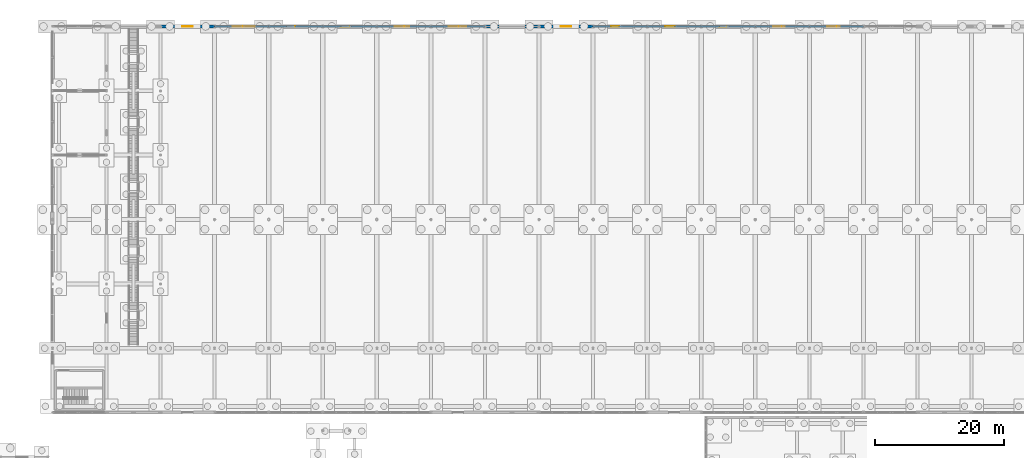
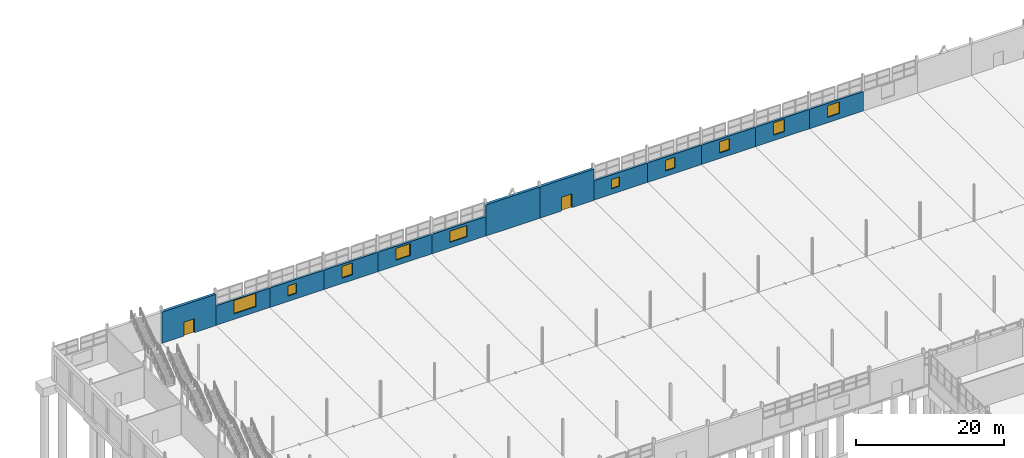
# One storey, part 130 of 139: 13 walls, 10 windows, 2 doors, 12 openings.
"""IFC4 building model written with IfcOpenShell, lengths in metres."""

from ifc_helpers import new_model, si_unit, direction, frame, frame_2d, origin, place, context, subcontext, project, spatial, rectangle, extrude, material, layer, layer_set, type_object, element, fill, save


model = new_model("IFC4")

# Units and contexts
model_context = context("Model", 3, precision=1e-05, world=origin(), true_north=direction((0.0, 1.0)))
body_context = subcontext(model_context, "Body", "Model", "MODEL_VIEW")
ifc_project = project(units=[si_unit("LENGTHUNIT", "METRE"), si_unit("AREAUNIT", "SQUARE_METRE"), si_unit("VOLUMEUNIT", "CUBIC_METRE"), si_unit("PLANEANGLEUNIT", "RADIAN"), si_unit("MASSUNIT", "GRAM", prefix="KILO")], contexts=[model_context])

# Site, building, storey
site_placement = place(None, origin())
site = spatial("IfcSite", under=ifc_project, at=site_placement, CompositionType="ELEMENT")
building_placement = place(site_placement, origin())
building = spatial("IfcBuilding", under=site, at=building_placement, Name="Kazenagashi Tramway Depot", CompositionType="ELEMENT")
storey_placement = place(building_placement, origin())
storey = spatial("IfcBuildingStorey", under=building, at=storey_placement, Name="L01", CompositionType="ELEMENT", Elevation=0.0)

# Wall, opening, door
ifc_material_1 = material(Name="Clay Brick Masonry JIS R 1250 Class 1 (20 MPa)", Category="masonry")
ifc_layer_1 = layer(ifc_material_1, 0.43)
ifc_layer_set_1 = layer_set([ifc_layer_1], Name="Clay Brick Masonry JIS R 1250 Class 1 (20 MPa)")
wall_type_1 = type_object("IfcWallType", Name="W-BK1", PredefinedType="SOLIDWALL", material=ifc_layer_set_1)
wall_1_placement = place(storey_placement, frame((61.6, 130.0, 0.0), z_axis=(0.0, 0.0, 1.0), x_axis=(1.0, 0.0, 0.0)))
wall_1 = element("IfcWall", 1, at=wall_1_placement, inside=storey, type_object=wall_type_1, Name="Exterior Brick Wall W-BK1 EWALL-0032", PredefinedType="SOLIDWALL", context=body_context, shape_type="SweptSolid", body=[
    extrude(rectangle(XDim=8.4, YDim=0.43, at=frame_2d((4.2, 0.0))), origin(), (0.0, 0.0, 1.0), 5.14),
])
opening_1_placement = place(wall_1_placement, frame((3.4, 0.0, 0.0)))
opening_1 = element("IfcOpeningElement", 2, at=opening_1_placement, cuts=wall_1, Name="Opening D-004", PredefinedType="OPENING", context=body_context, shape_type="SweptSolid", body=[
    extrude(rectangle(XDim=1.6, YDim=2.3, at=frame_2d((0.8, 1.15))), frame((0.0, 0.225, 0.0), z_axis=(0.0, -1.0, 0.0), x_axis=(1.0, 0.0, 0.0)), (0.0, 0.0, 1.0), 0.45),
])
ifc_material_2 = material(Name="Anodised Aluminium and Laminated Glass", Category="aluminium")
door_type = type_object("IfcDoorType", Name="DT-02", OperationType="NOTDEFINED", PredefinedType="DOOR", material=ifc_material_2)
door_1_placement = place(opening_1_placement, origin())
door_1 = element("IfcDoor", 3, at=door_1_placement, inside=storey, type_object=door_type, Name="Stabling Shed Pedestrian Final Exit Door D-004", OperationType="DOUBLE_DOOR_SINGLE_SWING", OverallHeight=2.3, OverallWidth=1.6, PredefinedType="DOOR", context=body_context, shape_type="SweptSolid", body=[
    extrude(rectangle(XDim=1.6, YDim=2.3, at=frame_2d((0.8, 1.15))), frame((0.0, 0.025, 0.0), z_axis=(0.0, -1.0, 0.0), x_axis=(1.0, 0.0, 0.0)), (0.0, 0.0, 1.0), 0.05),
])
fill(opening_1, door_1)

# Wall
wall_2_placement = place(storey_placement, frame((112.0, 130.0, 0.0), z_axis=(0.0, 0.0, 1.0), x_axis=(1.0, 0.0, 0.0)))
element("IfcWall", 4, at=wall_2_placement, inside=storey, type_object=wall_type_1, Name="Exterior Brick Wall W-BK1 EWALL-0038", PredefinedType="SOLIDWALL", context=body_context, shape_type="SweptSolid", body=[
    extrude(rectangle(XDim=8.4, YDim=0.43, at=frame_2d((4.2, 0.0))), origin(), (0.0, 0.0, 1.0), 5.14),
])

# Wall, opening, door
wall_3_placement = place(storey_placement, frame((120.4, 130.0, 0.0), z_axis=(0.0, 0.0, 1.0), x_axis=(1.0, 0.0, 0.0)))
wall_3 = element("IfcWall", 5, at=wall_3_placement, inside=storey, type_object=wall_type_1, Name="Exterior Brick Wall W-BK1 EWALL-0040", PredefinedType="SOLIDWALL", context=body_context, shape_type="SweptSolid", body=[
    extrude(rectangle(XDim=8.4, YDim=0.43, at=frame_2d((4.2, 0.0))), origin(), (0.0, 0.0, 1.0), 5.14),
])
opening_2_placement = place(wall_3_placement, frame((3.4, 0.0, 0.0)))
opening_2 = element("IfcOpeningElement", 6, at=opening_2_placement, cuts=wall_3, Name="Opening D-005", PredefinedType="OPENING", context=body_context, shape_type="SweptSolid", body=[
    extrude(rectangle(XDim=1.6, YDim=2.3, at=frame_2d((0.8, 1.15))), frame((0.0, 0.225, 0.0), z_axis=(0.0, -1.0, 0.0), x_axis=(1.0, 0.0, 0.0)), (0.0, 0.0, 1.0), 0.45),
])
door_2_placement = place(opening_2_placement, origin())
door_2 = element("IfcDoor", 7, at=door_2_placement, inside=storey, type_object=door_type, Name="Stabling Shed Pedestrian Final Exit Door D-005", OperationType="DOUBLE_DOOR_SINGLE_SWING", OverallHeight=2.3, OverallWidth=1.6, PredefinedType="DOOR", context=body_context, shape_type="SweptSolid", body=[
    extrude(rectangle(XDim=1.6, YDim=2.3, at=frame_2d((0.8, 1.15))), frame((0.0, 0.025, 0.0), z_axis=(0.0, -1.0, 0.0), x_axis=(1.0, 0.0, 0.0)), (0.0, 0.0, 1.0), 0.05),
])
fill(opening_2, door_2)

# Wall, opening, window
ifc_layer_2 = layer(ifc_material_1, 0.36)
ifc_layer_set_2 = layer_set([ifc_layer_2], Name="Clay Brick Masonry JIS R 1250 Class 1 (20 MPa)")
wall_type_2 = type_object("IfcWallType", Name="W-BK2", PredefinedType="SOLIDWALL", material=ifc_layer_set_2)
wall_4_placement = place(storey_placement, frame((70.0, 130.0, 0.0), z_axis=(0.0, 0.0, 1.0), x_axis=(1.0, 0.0, 0.0)))
wall_4 = element("IfcWall", 8, at=wall_4_placement, inside=storey, type_object=wall_type_2, Name="Exterior Brick Wall W-BK2 EWALL-0033", PredefinedType="SOLIDWALL", context=body_context, shape_type="SweptSolid", body=[
    extrude(rectangle(XDim=8.4, YDim=0.36, at=frame_2d((4.2, 0.0))), origin(), (0.0, 0.0, 1.0), 3.2),
])
opening_3_placement = place(wall_4_placement, frame((2.8, 0.0, 0.9)))
opening_3 = element("IfcOpeningElement", 9, at=opening_3_placement, cuts=wall_4, Name="Opening WN-16", PredefinedType="OPENING", context=body_context, shape_type="SweptSolid", body=[
    extrude(rectangle(XDim=3.4, YDim=2.2, at=frame_2d((1.7, 1.1))), frame((0.0, 0.19, 0.0), z_axis=(0.0, -1.0, 0.0), x_axis=(1.0, 0.0, 0.0)), (0.0, 0.0, 1.0), 0.38),
])
ifc_material_3 = material(Name="Anodised Aluminium and Tempered Low-E Glass", Category="aluminium")
window_type_1 = type_object("IfcWindowType", Name="WN-16", PartitioningType="SINGLE_PANEL", PredefinedType="WINDOW", material=ifc_material_3)
window_1_placement = place(opening_3_placement, origin())
window_1 = element("IfcWindow", 10, at=window_1_placement, inside=storey, type_object=window_type_1, Name="Window WN-16 WIN-0016", OverallHeight=2.2, OverallWidth=3.4, PartitioningType="SINGLE_PANEL", PredefinedType="WINDOW", context=body_context, shape_type="SweptSolid", body=[
    extrude(rectangle(XDim=3.4, YDim=2.2, at=frame_2d((1.7, 1.1))), frame((0.0, 0.03, 0.0), z_axis=(0.0, -1.0, 0.0), x_axis=(1.0, 0.0, 0.0)), (0.0, 0.0, 1.0), 0.06),
])
fill(opening_3, window_1)

wall_5_placement = place(storey_placement, frame((78.4, 130.0, 0.0), z_axis=(0.0, 0.0, 1.0), x_axis=(1.0, 0.0, 0.0)))
wall_5 = element("IfcWall", 11, at=wall_5_placement, inside=storey, type_object=wall_type_2, Name="Exterior Brick Wall W-BK2 EWALL-0034", PredefinedType="SOLIDWALL", context=body_context, shape_type="SweptSolid", body=[
    extrude(rectangle(XDim=8.4, YDim=0.36, at=frame_2d((4.2, 0.0))), origin(), (0.0, 0.0, 1.0), 3.2),
])
opening_4_placement = place(wall_5_placement, frame((2.8, 0.0, 0.9)))
opening_4 = element("IfcOpeningElement", 12, at=opening_4_placement, cuts=wall_5, Name="Opening WN-17", PredefinedType="OPENING", context=body_context, shape_type="SweptSolid", body=[
    extrude(rectangle(XDim=1.35, YDim=1.65, at=frame_2d((0.675, 0.825))), frame((0.0, 0.19, 0.0), z_axis=(0.0, -1.0, 0.0), x_axis=(1.0, 0.0, 0.0)), (0.0, 0.0, 1.0), 0.38),
])
window_type_2 = type_object("IfcWindowType", Name="WN-17", PartitioningType="SINGLE_PANEL", PredefinedType="WINDOW", material=ifc_material_3)
window_2_placement = place(opening_4_placement, origin())
window_2 = element("IfcWindow", 13, at=window_2_placement, inside=storey, type_object=window_type_2, Name="Window WN-17 WIN-0017", OverallHeight=1.65, OverallWidth=1.35, PartitioningType="SINGLE_PANEL", PredefinedType="WINDOW", context=body_context, shape_type="SweptSolid", body=[
    extrude(rectangle(XDim=1.35, YDim=1.65, at=frame_2d((0.675, 0.825))), frame((0.0, 0.03, 0.0), z_axis=(0.0, -1.0, 0.0), x_axis=(1.0, 0.0, 0.0)), (0.0, 0.0, 1.0), 0.06),
])
fill(opening_4, window_2)

wall_6_placement = place(storey_placement, frame((86.8, 130.0, 0.0), z_axis=(0.0, 0.0, 1.0), x_axis=(1.0, 0.0, 0.0)))
wall_6 = element("IfcWall", 14, at=wall_6_placement, inside=storey, type_object=wall_type_2, Name="Exterior Brick Wall W-BK2 EWALL-0035", PredefinedType="SOLIDWALL", context=body_context, shape_type="SweptSolid", body=[
    extrude(rectangle(XDim=8.4, YDim=0.36, at=frame_2d((4.2, 0.0))), origin(), (0.0, 0.0, 1.0), 3.2),
])
opening_5_placement = place(wall_6_placement, frame((2.8, 0.0, 0.9)))
opening_5 = element("IfcOpeningElement", 15, at=opening_5_placement, cuts=wall_6, Name="Opening WN-18", PredefinedType="OPENING", context=body_context, shape_type="SweptSolid", body=[
    extrude(rectangle(XDim=1.65, YDim=1.95, at=frame_2d((0.825, 0.975))), frame((0.0, 0.19, 0.0), z_axis=(0.0, -1.0, 0.0), x_axis=(1.0, 0.0, 0.0)), (0.0, 0.0, 1.0), 0.38),
])
window_type_3 = type_object("IfcWindowType", Name="WN-18", PartitioningType="SINGLE_PANEL", PredefinedType="WINDOW", material=ifc_material_3)
window_3_placement = place(opening_5_placement, origin())
window_3 = element("IfcWindow", 16, at=window_3_placement, inside=storey, type_object=window_type_3, Name="Window WN-18 WIN-0018", OverallHeight=1.95, OverallWidth=1.65, PartitioningType="SINGLE_PANEL", PredefinedType="WINDOW", context=body_context, shape_type="SweptSolid", body=[
    extrude(rectangle(XDim=1.65, YDim=1.95, at=frame_2d((0.825, 0.975))), frame((0.0, 0.03, 0.0), z_axis=(0.0, -1.0, 0.0), x_axis=(1.0, 0.0, 0.0)), (0.0, 0.0, 1.0), 0.06),
])
fill(opening_5, window_3)

wall_7_placement = place(storey_placement, frame((95.2, 130.0, 0.0), z_axis=(0.0, 0.0, 1.0), x_axis=(1.0, 0.0, 0.0)))
wall_7 = element("IfcWall", 17, at=wall_7_placement, inside=storey, type_object=wall_type_2, Name="Exterior Brick Wall W-BK2 EWALL-0036", PredefinedType="SOLIDWALL", context=body_context, shape_type="SweptSolid", body=[
    extrude(rectangle(XDim=8.4, YDim=0.36, at=frame_2d((4.2, 0.0))), origin(), (0.0, 0.0, 1.0), 3.2),
])
opening_6_placement = place(wall_7_placement, frame((2.8, 0.0, 0.9)))
opening_6 = element("IfcOpeningElement", 18, at=opening_6_placement, cuts=wall_7, Name="Opening WN-19", PredefinedType="OPENING", context=body_context, shape_type="SweptSolid", body=[
    extrude(rectangle(XDim=2.25, YDim=1.95, at=frame_2d((1.125, 0.975))), frame((0.0, 0.19, 0.0), z_axis=(0.0, -1.0, 0.0), x_axis=(1.0, 0.0, 0.0)), (0.0, 0.0, 1.0), 0.38),
])
window_type_4 = type_object("IfcWindowType", Name="WN-19", PartitioningType="SINGLE_PANEL", PredefinedType="WINDOW", material=ifc_material_3)
window_4_placement = place(opening_6_placement, origin())
window_4 = element("IfcWindow", 19, at=window_4_placement, inside=storey, type_object=window_type_4, Name="Window WN-19 WIN-0019", OverallHeight=1.95, OverallWidth=2.25, PartitioningType="SINGLE_PANEL", PredefinedType="WINDOW", context=body_context, shape_type="SweptSolid", body=[
    extrude(rectangle(XDim=2.25, YDim=1.95, at=frame_2d((1.125, 0.975))), frame((0.0, 0.03, 0.0), z_axis=(0.0, -1.0, 0.0), x_axis=(1.0, 0.0, 0.0)), (0.0, 0.0, 1.0), 0.06),
])
fill(opening_6, window_4)

wall_8_placement = place(storey_placement, frame((103.6, 130.0, 0.0), z_axis=(0.0, 0.0, 1.0), x_axis=(1.0, 0.0, 0.0)))
wall_8 = element("IfcWall", 20, at=wall_8_placement, inside=storey, type_object=wall_type_2, Name="Exterior Brick Wall W-BK2 EWALL-0037", PredefinedType="SOLIDWALL", context=body_context, shape_type="SweptSolid", body=[
    extrude(rectangle(XDim=8.4, YDim=0.36, at=frame_2d((4.2, 0.0))), origin(), (0.0, 0.0, 1.0), 3.2),
])
opening_7_placement = place(wall_8_placement, frame((2.8, 0.0, 0.9)))
opening_7 = element("IfcOpeningElement", 21, at=opening_7_placement, cuts=wall_8, Name="Opening WN-20", PredefinedType="OPENING", context=body_context, shape_type="SweptSolid", body=[
    extrude(rectangle(XDim=2.7, YDim=1.85, at=frame_2d((1.35, 0.925))), frame((0.0, 0.19, 0.0), z_axis=(0.0, -1.0, 0.0), x_axis=(1.0, 0.0, 0.0)), (0.0, 0.0, 1.0), 0.38),
])
window_type_5 = type_object("IfcWindowType", Name="WN-20", PartitioningType="SINGLE_PANEL", PredefinedType="WINDOW", material=ifc_material_3)
window_5_placement = place(opening_7_placement, origin())
window_5 = element("IfcWindow", 22, at=window_5_placement, inside=storey, type_object=window_type_5, Name="Window WN-20 WIN-0020", OverallHeight=1.85, OverallWidth=2.7, PartitioningType="SINGLE_PANEL", PredefinedType="WINDOW", context=body_context, shape_type="SweptSolid", body=[
    extrude(rectangle(XDim=2.7, YDim=1.85, at=frame_2d((1.35, 0.925))), frame((0.0, 0.03, 0.0), z_axis=(0.0, -1.0, 0.0), x_axis=(1.0, 0.0, 0.0)), (0.0, 0.0, 1.0), 0.06),
])
fill(opening_7, window_5)

wall_9_placement = place(storey_placement, frame((128.8, 130.0, 0.0), z_axis=(0.0, 0.0, 1.0), x_axis=(1.0, 0.0, 0.0)))
wall_9 = element("IfcWall", 23, at=wall_9_placement, inside=storey, type_object=wall_type_2, Name="Exterior Brick Wall W-BK2 EWALL-0041", PredefinedType="SOLIDWALL", context=body_context, shape_type="SweptSolid", body=[
    extrude(rectangle(XDim=8.4, YDim=0.36, at=frame_2d((4.2, 0.0))), origin(), (0.0, 0.0, 1.0), 3.2),
])
opening_8_placement = place(wall_9_placement, frame((2.8, 0.0, 0.9)))
opening_8 = element("IfcOpeningElement", 24, at=opening_8_placement, cuts=wall_9, Name="Opening WN-21", PredefinedType="OPENING", context=body_context, shape_type="SweptSolid", body=[
    extrude(rectangle(XDim=1.25, YDim=1.55, at=frame_2d((0.625, 0.775))), frame((0.0, 0.19, 0.0), z_axis=(0.0, -1.0, 0.0), x_axis=(1.0, 0.0, 0.0)), (0.0, 0.0, 1.0), 0.38),
])
window_type_6 = type_object("IfcWindowType", Name="WN-21", PartitioningType="SINGLE_PANEL", PredefinedType="WINDOW", material=ifc_material_3)
window_6_placement = place(opening_8_placement, origin())
window_6 = element("IfcWindow", 25, at=window_6_placement, inside=storey, type_object=window_type_6, Name="Window WN-21 WIN-0021", OverallHeight=1.55, OverallWidth=1.25, PartitioningType="SINGLE_PANEL", PredefinedType="WINDOW", context=body_context, shape_type="SweptSolid", body=[
    extrude(rectangle(XDim=1.25, YDim=1.55, at=frame_2d((0.625, 0.775))), frame((0.0, 0.03, 0.0), z_axis=(0.0, -1.0, 0.0), x_axis=(1.0, 0.0, 0.0)), (0.0, 0.0, 1.0), 0.06),
])
fill(opening_8, window_6)

wall_10_placement = place(storey_placement, frame((137.2, 130.0, 0.0), z_axis=(0.0, 0.0, 1.0), x_axis=(1.0, 0.0, 0.0)))
wall_10 = element("IfcWall", 26, at=wall_10_placement, inside=storey, type_object=wall_type_2, Name="Exterior Brick Wall W-BK2 EWALL-0042", PredefinedType="SOLIDWALL", context=body_context, shape_type="SweptSolid", body=[
    extrude(rectangle(XDim=8.4, YDim=0.36, at=frame_2d((4.2, 0.0))), origin(), (0.0, 0.0, 1.0), 3.2),
])
opening_9_placement = place(wall_10_placement, frame((2.8, 0.0, 0.9)))
opening_9 = element("IfcOpeningElement", 27, at=opening_9_placement, cuts=wall_10, Name="Opening WN-22", PredefinedType="OPENING", context=body_context, shape_type="SweptSolid", body=[
    extrude(rectangle(XDim=1.45, YDim=1.75, at=frame_2d((0.725, 0.875))), frame((0.0, 0.19, 0.0), z_axis=(0.0, -1.0, 0.0), x_axis=(1.0, 0.0, 0.0)), (0.0, 0.0, 1.0), 0.38),
])
window_type_7 = type_object("IfcWindowType", Name="WN-22", PartitioningType="SINGLE_PANEL", PredefinedType="WINDOW", material=ifc_material_3)
window_7_placement = place(opening_9_placement, origin())
window_7 = element("IfcWindow", 28, at=window_7_placement, inside=storey, type_object=window_type_7, Name="Window WN-22 WIN-0022", OverallHeight=1.75, OverallWidth=1.45, PartitioningType="SINGLE_PANEL", PredefinedType="WINDOW", context=body_context, shape_type="SweptSolid", body=[
    extrude(rectangle(XDim=1.45, YDim=1.75, at=frame_2d((0.725, 0.875))), frame((0.0, 0.03, 0.0), z_axis=(0.0, -1.0, 0.0), x_axis=(1.0, 0.0, 0.0)), (0.0, 0.0, 1.0), 0.06),
])
fill(opening_9, window_7)

wall_11_placement = place(storey_placement, frame((145.6, 130.0, 0.0), z_axis=(0.0, 0.0, 1.0), x_axis=(1.0, 0.0, 0.0)))
wall_11 = element("IfcWall", 29, at=wall_11_placement, inside=storey, type_object=wall_type_2, Name="Exterior Brick Wall W-BK2 EWALL-0043", PredefinedType="SOLIDWALL", context=body_context, shape_type="SweptSolid", body=[
    extrude(rectangle(XDim=8.4, YDim=0.36, at=frame_2d((4.2, 0.0))), origin(), (0.0, 0.0, 1.0), 3.2),
])
opening_10_placement = place(wall_11_placement, frame((2.8, 0.0, 0.9)))
opening_10 = element("IfcOpeningElement", 30, at=opening_10_placement, cuts=wall_11, Name="Opening WN-23", PredefinedType="OPENING", context=body_context, shape_type="SweptSolid", body=[
    extrude(rectangle(XDim=1.55, YDim=1.85, at=frame_2d((0.775, 0.925))), frame((0.0, 0.19, 0.0), z_axis=(0.0, -1.0, 0.0), x_axis=(1.0, 0.0, 0.0)), (0.0, 0.0, 1.0), 0.38),
])
window_type_8 = type_object("IfcWindowType", Name="WN-23", PartitioningType="SINGLE_PANEL", PredefinedType="WINDOW", material=ifc_material_3)
window_8_placement = place(opening_10_placement, origin())
window_8 = element("IfcWindow", 31, at=window_8_placement, inside=storey, type_object=window_type_8, Name="Window WN-23 WIN-0023", OverallHeight=1.85, OverallWidth=1.55, PartitioningType="SINGLE_PANEL", PredefinedType="WINDOW", context=body_context, shape_type="SweptSolid", body=[
    extrude(rectangle(XDim=1.55, YDim=1.85, at=frame_2d((0.775, 0.925))), frame((0.0, 0.03, 0.0), z_axis=(0.0, -1.0, 0.0), x_axis=(1.0, 0.0, 0.0)), (0.0, 0.0, 1.0), 0.06),
])
fill(opening_10, window_8)

wall_12_placement = place(storey_placement, frame((154.0, 130.0, 0.0), z_axis=(0.0, 0.0, 1.0), x_axis=(1.0, 0.0, 0.0)))
wall_12 = element("IfcWall", 32, at=wall_12_placement, inside=storey, type_object=wall_type_2, Name="Exterior Brick Wall W-BK2 EWALL-0044", PredefinedType="SOLIDWALL", context=body_context, shape_type="SweptSolid", body=[
    extrude(rectangle(XDim=8.4, YDim=0.36, at=frame_2d((4.2, 0.0))), origin(), (0.0, 0.0, 1.0), 3.2),
])
opening_11_placement = place(wall_12_placement, frame((2.8, 0.0, 0.9)))
opening_11 = element("IfcOpeningElement", 33, at=opening_11_placement, cuts=wall_12, Name="Opening WN-24", PredefinedType="OPENING", context=body_context, shape_type="SweptSolid", body=[
    extrude(rectangle(XDim=1.75, YDim=2.05, at=frame_2d((0.875, 1.025))), frame((0.0, 0.19, 0.0), z_axis=(0.0, -1.0, 0.0), x_axis=(1.0, 0.0, 0.0)), (0.0, 0.0, 1.0), 0.38),
])
window_type_9 = type_object("IfcWindowType", Name="WN-24", PartitioningType="SINGLE_PANEL", PredefinedType="WINDOW", material=ifc_material_3)
window_9_placement = place(opening_11_placement, origin())
window_9 = element("IfcWindow", 34, at=window_9_placement, inside=storey, type_object=window_type_9, Name="Window WN-24 WIN-0024", OverallHeight=2.05, OverallWidth=1.75, PartitioningType="SINGLE_PANEL", PredefinedType="WINDOW", context=body_context, shape_type="SweptSolid", body=[
    extrude(rectangle(XDim=1.75, YDim=2.05, at=frame_2d((0.875, 1.025))), frame((0.0, 0.03, 0.0), z_axis=(0.0, -1.0, 0.0), x_axis=(1.0, 0.0, 0.0)), (0.0, 0.0, 1.0), 0.06),
])
fill(opening_11, window_9)

wall_13_placement = place(storey_placement, frame((162.4, 130.0, 0.0), z_axis=(0.0, 0.0, 1.0), x_axis=(1.0, 0.0, 0.0)))
wall_13 = element("IfcWall", 35, at=wall_13_placement, inside=storey, type_object=wall_type_2, Name="Exterior Brick Wall W-BK2 EWALL-0045", PredefinedType="SOLIDWALL", context=body_context, shape_type="SweptSolid", body=[
    extrude(rectangle(XDim=8.4, YDim=0.36, at=frame_2d((4.2, 0.0))), origin(), (0.0, 0.0, 1.0), 3.2),
])
opening_12_placement = place(wall_13_placement, frame((2.8, 0.0, 0.9)))
opening_12 = element("IfcOpeningElement", 36, at=opening_12_placement, cuts=wall_13, Name="Opening WN-25", PredefinedType="OPENING", context=body_context, shape_type="SweptSolid", body=[
    extrude(rectangle(XDim=1.9, YDim=1.9, at=frame_2d((0.95, 0.95))), frame((0.0, 0.19, 0.0), z_axis=(0.0, -1.0, 0.0), x_axis=(1.0, 0.0, 0.0)), (0.0, 0.0, 1.0), 0.38),
])
window_type_10 = type_object("IfcWindowType", Name="WN-25", PartitioningType="SINGLE_PANEL", PredefinedType="WINDOW", material=ifc_material_3)
window_10_placement = place(opening_12_placement, origin())
window_10 = element("IfcWindow", 37, at=window_10_placement, inside=storey, type_object=window_type_10, Name="Window WN-25 WIN-0025", OverallHeight=1.9, OverallWidth=1.9, PartitioningType="SINGLE_PANEL", PredefinedType="WINDOW", context=body_context, shape_type="SweptSolid", body=[
    extrude(rectangle(XDim=1.9, YDim=1.9, at=frame_2d((0.95, 0.95))), frame((0.0, 0.03, 0.0), z_axis=(0.0, -1.0, 0.0), x_axis=(1.0, 0.0, 0.0)), (0.0, 0.0, 1.0), 0.06),
])
fill(opening_12, window_10)

save(model, "model.ifc")
